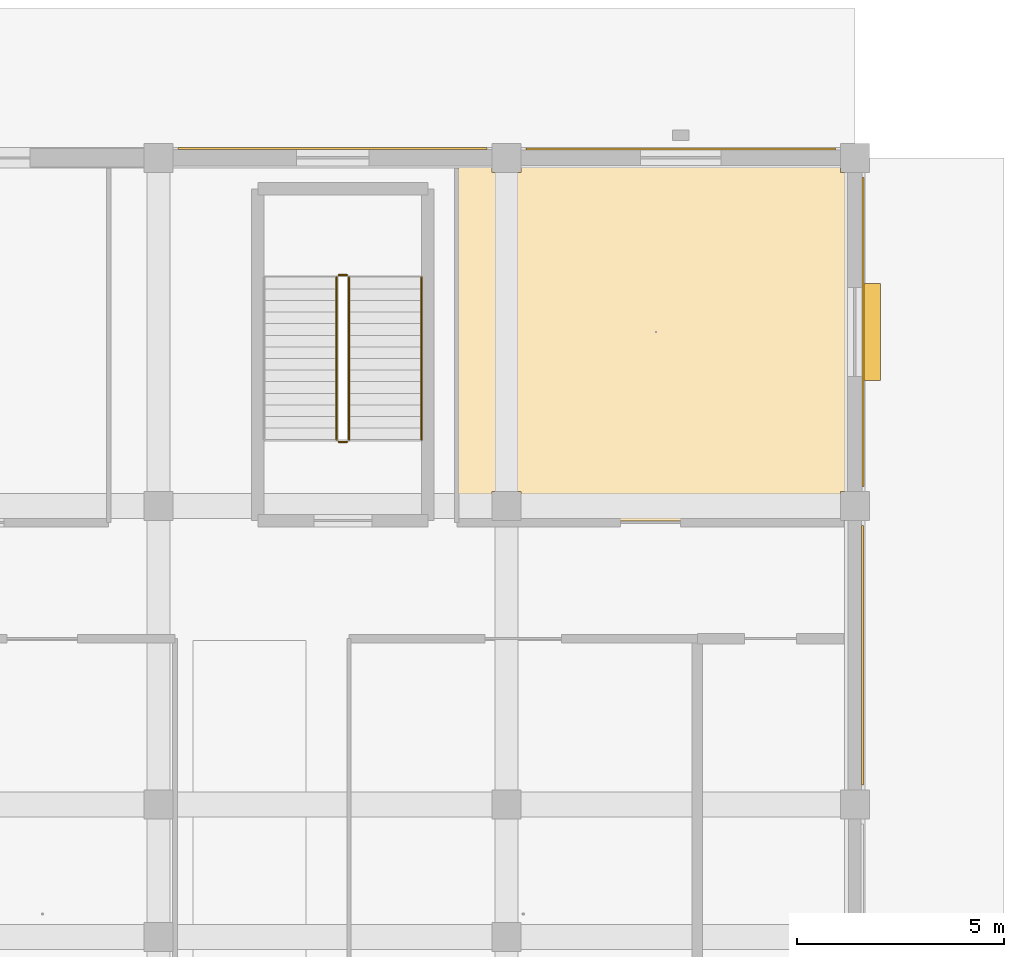
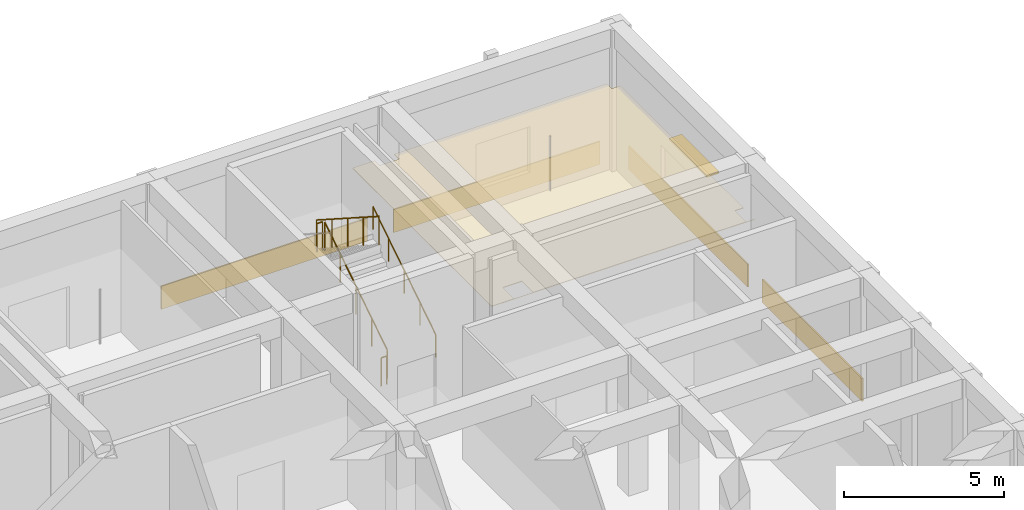
# One storey, part 167 of 167: 5 coverings, 5 railings, 1 shading device.
"""IFC4 building model written with IfcOpenShell, lengths in metres."""

from ifc_helpers import new_model, si_unit, direction, frame, origin, origin_2d, place, context, subcontext, project, spatial, polyline, rectangle, circle, outline, extrude, material, layer, layer_set, type_object, element, save


model = new_model("IFC4")

# Units and contexts
model_context = context("Model", 3, precision=1e-05, world=origin(), true_north=direction((0.0, 1.0)))
body_context = subcontext(model_context, "Body", "Model", "MODEL_VIEW")
ifc_project = project(units=[si_unit("LENGTHUNIT", "METRE"), si_unit("AREAUNIT", "SQUARE_METRE"), si_unit("VOLUMEUNIT", "CUBIC_METRE"), si_unit("PLANEANGLEUNIT", "RADIAN"), si_unit("MASSUNIT", "GRAM", prefix="KILO")], contexts=[model_context])

# Site, building, storey
site_placement = place(None, origin())
site = spatial("IfcSite", under=ifc_project, at=site_placement, CompositionType="ELEMENT")
building_placement = place(site_placement, origin())
building = spatial("IfcBuilding", under=site, at=building_placement, Name="Varncliffe General Hospital", CompositionType="ELEMENT")
storey_placement = place(building_placement, origin())
storey = spatial("IfcBuildingStorey", under=building, at=storey_placement, Name="L00", CompositionType="ELEMENT", Elevation=0.0)

# Covering
ifc_material_1 = material(Name="Hygienic antimicrobial acoustic suspended ceiling tile", Category="gypsum")
ifc_layer_1 = layer(ifc_material_1, 0.02490234375)
ifc_layer_set_1 = layer_set([ifc_layer_1], Name="Hygienic antimicrobial acoustic suspended ceiling tile")
covering_type_1 = type_object("IfcCoveringType", Name="Antimicrobial Acoustic Suspended Ceiling CLG44", PredefinedType="CEILING", material=ifc_layer_set_1)
covering_1_placement = place(storey_placement, frame((0.0, 0.0, 3.175048828125)))
element("IfcCovering", 1, at=covering_1_placement, inside=storey, type_object=covering_type_1, Name="L00 Rehabilitation Ambulation Training Room 136 Suspended Ceiling", PredefinedType="CEILING", context=body_context, shape_type="SweptSolid", body=[
    extrude(outline(polyline([(176.050048828125, 116.75), (176.050048828125, 116.050048828125), (176.360107421875, 116.050048828125), (176.360107421875, 116.0400390625), (166.840087890625, 116.0400390625), (166.840087890625, 124.760009765625), (167.64990234375, 124.760009765625), (167.64990234375, 124.449951171875), (168.35009765625, 124.449951171875), (168.35009765625, 124.760009765625), (176.050048828125, 124.760009765625), (176.050048828125, 124.449951171875), (176.360107421875, 124.449951171875), (176.360107421875, 116.75), (176.050048828125, 116.75)]), holes=[polyline([(168.35009765625, 116.050048828125), (168.35009765625, 116.75), (167.64990234375, 116.75), (167.64990234375, 116.050048828125), (168.35009765625, 116.050048828125)])]), origin(), (0.0, 0.0, 1.0), 0.02490234375),
])

# Shading device
ifc_material_2 = material(Name="Dark bronze extruded aluminium solar jalousie louvres", Category="aluminium")
ifc_layer_2 = layer(ifc_material_2, 0.080078125)
ifc_layer_set_2 = layer_set([ifc_layer_2], Name="Dark bronze extruded aluminium solar jalousie louvres")
shading_device_type = type_object("IfcShadingDeviceType", Name="Bronze Solar Jalousie Louvre Hood SHD18", PredefinedType="JALOUSIE", material=ifc_layer_set_2)
shading_device_placement = place(storey_placement, frame((176.800048828125, 120.60009765625, 2.659912109375), z_axis=(0.0, 0.0, 1.0), x_axis=(0.0, -1.0, 0.0)))
element("IfcShadingDevice", 2, at=shading_device_placement, inside=storey, type_object=shading_device_type, Name="L00 Bronze Window Sun-Shading Louvre 2", PredefinedType="JALOUSIE", context=body_context, shape_type="SweptSolid", body=[
    extrude(rectangle(XDim=2.35009765625, YDim=0.449951171875, at=origin_2d()), origin(), (0.0, 0.0, 1.0), 0.080078125),
])

# Coverings
ifc_material_3 = material(Name="Credit Valley buff limestone ashlar cladding", Category="masonry")
ifc_layer_3 = layer(ifc_material_3, 0.050048828125)
ifc_layer_set_3 = layer_set([ifc_layer_3], Name="Credit Valley buff limestone ashlar cladding")
covering_type_2 = type_object("IfcCoveringType", Name="Credit Valley Limestone Ashlar Plinth Cladding CLD17", PredefinedType="CLADDING", material=ifc_layer_set_3)
for number, where, z_axis, x_axis, name in (
    (3, (163.800048828125, 125.02490234375, 0.010009765625), (0.0, 0.0, 1.0), (1.0, 0.0, 0.0), "L00 Limestone Base Cladding 19"),
    (4, (172.199951171875, 125.014892578125, 0.010009765625), (0.0, 0.0, 1.0), (1.0, 0.0, 0.0), "L00 Limestone Base Cladding 20"),
    (5, (176.60009765625, 120.60009765625, 0.010009765625), (0.0, 0.0, 1.0), (0.0, -1.0, 0.0), "L00 Limestone Base Cladding 21"),
):
    element("IfcCovering", number, at=place(storey_placement, frame(where, z_axis=z_axis, x_axis=x_axis)), inside=storey, type_object=covering_type_2, Name=name, PredefinedType="CLADDING", context=body_context, shape_type="SweptSolid", body=[
        extrude(rectangle(XDim=7.464111328125, YDim=0.050048828125, at=origin_2d()), origin(), (0.0, 0.0, 1.0), 0.8798828125),
    ])
covering_2_placement = place(storey_placement, frame((176.590087890625, 112.800048828125, 0.010009765625), z_axis=(0.0, 0.0, 1.0), x_axis=(0.0, -1.0, 0.0)))
element("IfcCovering", 6, at=covering_2_placement, inside=storey, type_object=covering_type_2, Name="L00 Limestone Base Cladding 22", PredefinedType="CLADDING", context=body_context, shape_type="SweptSolid", body=[
    extrude(rectangle(XDim=6.263916015625, YDim=0.050048828125, at=origin_2d()), origin(), (0.0, 0.0, 1.0), 0.8798828125),
])

# Railings
ifc_material_4 = material(Name="Powder-coated hospital steel guardrail and handrail", Category="steel")
railing_type_1 = type_object("IfcRailingType", Name="Stair and Ramp Handrail HR46", PredefinedType="HANDRAIL", material=ifc_material_4)
railing_1_placement = place(storey_placement, frame((165.949951171875, 118.0, 0.364013671875)))
element("IfcRailing", 7, at=railing_1_placement, inside=storey, type_object=railing_type_1, Name="L00 ST04 stair handrail 1", PredefinedType="HANDRAIL", context=body_context, shape_type="SweptSolid", body=[
    extrude(circle(Radius=0.02392578125, at=origin_2d()), frame((0.0, 0.0, 0.8759765625), z_axis=(0.0, 0.841171666519, 0.540768182723), x_axis=(-1.0, 0.0, 0.0)), (0.0, 0.0, 1.0), 4.66015625),
    extrude(circle(Radius=0.02099609375, at=origin_2d()), origin(), (0.0, 0.0, 1.0), 0.851806640625),
    extrude(circle(Radius=0.02099609375, at=origin_2d()), frame((0.0, 0.97998046875, 0.6298828125)), (0.0, 0.0, 1.0), 0.851806640625),
    extrude(circle(Radius=0.02099609375, at=origin_2d()), frame((0.0, 1.9599609375, 1.260009765625)), (0.0, 0.0, 1.0), 0.851806640625),
    extrude(circle(Radius=0.02099609375, at=origin_2d()), frame((0.0, 2.93994140625, 1.89013671875)), (0.0, 0.0, 1.0), 0.851806640625),
    extrude(circle(Radius=0.02099609375, at=origin_2d()), frame((0.0, 3.919921875, 2.52001953125)), (0.0, 0.0, 1.0), 0.851806640625),
])
railing_type_2 = type_object("IfcRailingType", Name="Stairwell Guardrail SG49", PredefinedType="GUARDRAIL", material=ifc_material_4)
railing_2_placement = place(storey_placement, frame((164.199951171875, 118.0, 0.179931640625)))
element("IfcRailing", 8, at=railing_2_placement, inside=storey, type_object=railing_type_2, Name="L00 ST04 stair guard 1", PredefinedType="GUARDRAIL", context=body_context, shape_type="SweptSolid", body=[
    extrude(circle(Radius=0.02392578125, at=origin_2d()), frame((0.0, 0.0, 1.076171875), z_axis=(0.0, 0.841171666519, 0.540768182723), x_axis=(-1.0, 0.0, 0.0)), (0.0, 0.0, 1.0), 4.66015625),
    extrude(circle(Radius=0.02099609375, at=origin_2d()), origin(), (0.0, 0.0, 1.0), 1.052001953125),
    extrude(circle(Radius=0.02099609375, at=origin_2d()), frame((0.0, 0.97998046875, 0.6298828125)), (0.0, 0.0, 1.0), 1.052001953125),
    extrude(circle(Radius=0.02099609375, at=origin_2d()), frame((0.0, 1.9599609375, 1.260009765625)), (0.0, 0.0, 1.0), 1.052001953125),
    extrude(circle(Radius=0.02099609375, at=origin_2d()), frame((0.0, 2.93994140625, 1.89013671875)), (0.0, 0.0, 1.0), 1.052001953125),
    extrude(circle(Radius=0.02099609375, at=origin_2d()), frame((0.0, 3.919921875, 2.52001953125)), (0.0, 0.0, 1.0), 1.052001953125),
])
railing_3_placement = place(storey_placement, frame((164.14990234375, 121.969970703125, 2.699951171875)))
element("IfcRailing", 9, at=railing_3_placement, inside=storey, type_object=railing_type_2, Name="L00 ST04 stair guard 2", PredefinedType="GUARDRAIL", context=body_context, shape_type="SweptSolid", body=[
    extrude(circle(Radius=0.02392578125, at=origin_2d()), frame((0.0, 0.0, 1.076171875), z_axis=(-1.0, 0.0, 0.0), x_axis=(0.0, -1.0, 0.0)), (0.0, 0.0, 1.0), 0.199951171875),
    extrude(circle(Radius=0.02099609375, at=origin_2d()), origin(), (0.0, 0.0, 1.0), 1.052001953125),
    extrude(circle(Radius=0.02099609375, at=origin_2d()), frame((-0.199951171875, 0.0, 0.0)), (0.0, 0.0, 1.0), 1.052001953125),
])
railing_4_placement = place(storey_placement, frame((163.89990234375, 121.919921875, 2.8798828125)))
element("IfcRailing", 10, at=railing_4_placement, inside=storey, type_object=railing_type_2, Name="L00 ST04 stair guard 3", PredefinedType="GUARDRAIL", context=body_context, shape_type="SweptSolid", body=[
    extrude(circle(Radius=0.02392578125, at=origin_2d()), frame((0.0, 0.0, 1.076171875), z_axis=(0.0, -0.841171666519, 0.540768182723), x_axis=(1.0, 0.0, 0.0)), (0.0, 0.0, 1.0), 4.66015625),
    extrude(circle(Radius=0.02099609375, at=origin_2d()), origin(), (0.0, 0.0, 1.0), 1.052001953125),
    extrude(circle(Radius=0.02099609375, at=origin_2d()), frame((0.0, -0.97998046875, 0.6298828125)), (0.0, 0.0, 1.0), 1.052001953125),
    extrude(circle(Radius=0.02099609375, at=origin_2d()), frame((0.0, -1.9599609375, 1.260009765625)), (0.0, 0.0, 1.0), 1.052001953125),
    extrude(circle(Radius=0.02099609375, at=origin_2d()), frame((0.0, -2.93994140625, 1.89013671875)), (0.0, 0.0, 1.0), 1.052001953125),
    extrude(circle(Radius=0.02099609375, at=origin_2d()), frame((0.0, -3.919921875, 2.52001953125)), (0.0, 0.0, 1.0), 1.052001953125),
])
railing_5_placement = place(storey_placement, frame((164.14990234375, 117.949951171875, 0.0)))
element("IfcRailing", 11, at=railing_5_placement, inside=storey, type_object=railing_type_2, Name="L00 ST04 stair guard 4", PredefinedType="GUARDRAIL", context=body_context, shape_type="SweptSolid", body=[
    extrude(circle(Radius=0.02392578125, at=origin_2d()), frame((0.0, 0.0, 1.076171875), z_axis=(-1.0, 0.0, 0.0), x_axis=(0.0, -1.0, 0.0)), (0.0, 0.0, 1.0), 0.199951171875),
    extrude(circle(Radius=0.02099609375, at=origin_2d()), origin(), (0.0, 0.0, 1.0), 1.052001953125),
    extrude(circle(Radius=0.02099609375, at=origin_2d()), frame((-0.199951171875, 0.0, 0.0)), (0.0, 0.0, 1.0), 1.052001953125),
])

save(model, "model.ifc")
